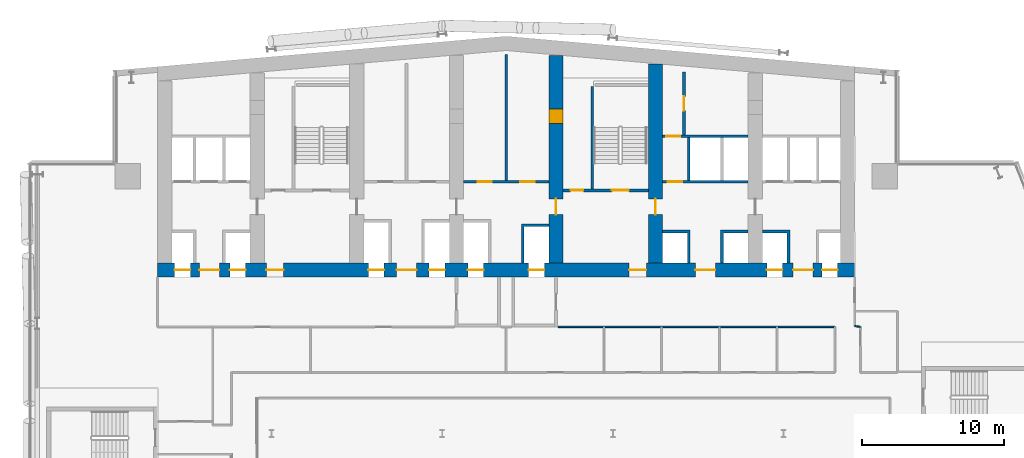
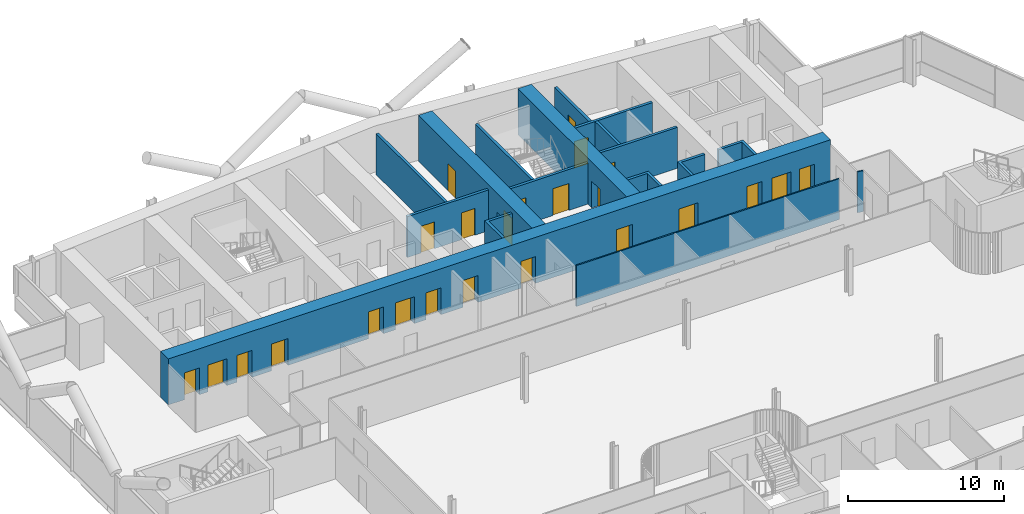
# One storey, part 21 of 31: 24 doors, 17 walls, 24 openings.
"""IFC4 building model written with IfcOpenShell, lengths in metres."""

from ifc_helpers import new_model, si_unit, direction, frame, frame_2d, origin, place, context, subcontext, project, spatial, polyline, rectangle, outline, extrude, material, layer, layer_set, type_object, element, fill, save


model = new_model("IFC4")

# Units and contexts
model_context = context("Model", 3, precision=1e-05, world=origin(), true_north=direction((0.0, 1.0)))
body_context = subcontext(model_context, "Body", "Model", "MODEL_VIEW")
ifc_project = project(units=[si_unit("LENGTHUNIT", "METRE"), si_unit("AREAUNIT", "SQUARE_METRE"), si_unit("VOLUMEUNIT", "CUBIC_METRE"), si_unit("PLANEANGLEUNIT", "RADIAN"), si_unit("MASSUNIT", "GRAM", prefix="KILO")], contexts=[model_context])

# Site, building, storey
site_placement = place(None, origin())
site = spatial("IfcSite", under=ifc_project, at=site_placement, CompositionType="ELEMENT")
building_placement = place(site_placement, origin())
building = spatial("IfcBuilding", under=site, at=building_placement, Name="Wharfspan Tower", CompositionType="ELEMENT")
storey_placement = place(building_placement, frame((0.0, 0.0, 103.899902)))
storey = spatial("IfcBuildingStorey", under=building, at=storey_placement, Name="L23", CompositionType="ELEMENT", Elevation=103.899902)

# Walls
ifc_material_1 = material(Name="Gypsum board on steel studs", Category="steel")
ifc_layer_1 = layer(ifc_material_1, 0.100098)
ifc_layer_set_1 = layer_set([ifc_layer_1], Name="Gypsum board on steel studs")
wall_type_1 = type_object("IfcWallType", Name="Compartment wall 100 EI 60", PredefinedType="PARTITIONING", material=ifc_layer_set_1)
wall_1_placement = place(storey_placement, frame((65.39502, 30.5, 0.0), z_axis=(0.0, 0.0, 1.0), x_axis=(-0.988637, 0.150312, 0.0)))
element("IfcWall", 1, at=wall_1_placement, inside=storey, type_object=wall_type_1, Name="Partition L23.w078", PredefinedType="PARTITIONING", context=body_context, shape_type="SweptSolid", body=[
    extrude(rectangle(XDim=0.399658, YDim=0.100098, at=frame_2d((0.199707, 0.0))), origin(), (0.0, 0.0, 1.0), 3.200195),
])
wall_2_placement = place(storey_placement, frame((44.149902, 30.5, 0.0), z_axis=(0.0, 0.0, 1.0), x_axis=(1.0, 0.0, 0.0)))
element("IfcWall", 2, at=wall_2_placement, inside=storey, type_object=wall_type_1, Name="Partition L23.w005 (3)", PredefinedType="PARTITIONING", context=body_context, shape_type="SweptSolid", body=[
    extrude(rectangle(XDim=19.450195, YDim=0.100098, at=frame_2d((9.725098, 0.0))), origin(), (0.0, 0.0, 1.0), 3.200195),
])
ifc_material_2 = material(Name="Calcium silicate masonry", Category="masonry")
ifc_layer_2 = layer(ifc_material_2, 0.199951)
ifc_layer_set_2 = layer_set([ifc_layer_2], Name="Calcium silicate masonry")
wall_type_2 = type_object("IfcWallType", Name="Core room wall 200", PredefinedType="PARTITIONING", material=ifc_layer_set_2)
wall_3_placement = place(storey_placement, frame((40.5, 40.800049, 0.0), z_axis=(0.0, 0.0, 1.0), x_axis=(0.0, 1.0, 0.0)))
element("IfcWall", 3, at=wall_3_placement, inside=storey, type_object=wall_type_2, Name="sw:L23:RP4.1", PredefinedType="PARTITIONING", context=body_context, shape_type="SweptSolid", body=[
    extrude(rectangle(XDim=8.844482, YDim=0.199951, at=frame_2d((4.422363, 0.0))), origin(), (0.0, 0.0, 1.0), 3.200195),
])

# Wall, opening, door
wall_4_placement = place(storey_placement, frame((53.0, 44.0, 0.0), z_axis=(0.0, 0.0, 1.0), x_axis=(0.0, 1.0, 0.0)))
wall_4 = element("IfcWall", 4, at=wall_4_placement, inside=storey, type_object=wall_type_2, Name="sw:L23:RP6.1", PredefinedType="PARTITIONING", context=body_context, shape_type="SweptSolid", body=[
    extrude(rectangle(XDim=4.419678, YDim=0.199951, at=frame_2d((2.209961, 0.0))), origin(), (0.0, 0.0, 1.0), 3.200195),
])
opening_1_placement = place(wall_4_placement, frame((1.709961, 0.0, 0.0)))
opening_1 = element("IfcOpeningElement", 5, at=opening_1_placement, cuts=wall_4, Name="Opening CD23.6P1", PredefinedType="OPENING", context=body_context, shape_type="SweptSolid", body=[
    extrude(rectangle(XDim=1.0, YDim=2.100098, at=frame_2d((0.5, 1.050049))), frame((0.0, 0.109863, 0.0), z_axis=(0.0, -1.0, 0.0), x_axis=(1.0, 0.0, 0.0)), (0.0, 0.0, 1.0), 0.219971),
])
ifc_material_3 = material(Name="Steel door leaf", Category="steel")
door_type_1 = type_object("IfcDoorType", Name="Core room door 1000x2100", OperationType="SINGLE_SWING_LEFT", PredefinedType="DOOR", material=ifc_material_3)
door_1_placement = place(opening_1_placement, origin())
door_1 = element("IfcDoor", 6, at=door_1_placement, inside=storey, type_object=door_type_1, Name="d:L23:6:rp1", OperationType="SINGLE_SWING_LEFT", OverallHeight=2.100098, OverallWidth=1.0, PredefinedType="DOOR", context=body_context, shape_type="SweptSolid", body=[
    extrude(rectangle(XDim=1.0, YDim=2.100098, at=frame_2d((0.5, 1.050049))), frame((0.0, 0.024902, 0.0), z_axis=(0.0, -1.0, 0.0), x_axis=(1.0, 0.0, 0.0)), (0.0, 0.0, 1.0), 0.050049),
])
fill(opening_1, door_1)

# Wall, openings, doors
ifc_material_4 = material(Name="Concrete C70/85", Category="concrete")
ifc_layer_3 = layer(ifc_material_4, 1.0)
ifc_layer_set_3 = layer_set([ifc_layer_3], Name="Concrete C70/85")
wall_type_3 = type_object("IfcWallType", Name="Core wall 1000 C70/85", PredefinedType="SHEAR", material=ifc_layer_set_3)
wall_5_placement = place(storey_placement, frame((16.0, 34.5, 0.0), z_axis=(0.0, 0.0, 1.0), x_axis=(1.0, 0.0, 0.0)))
wall_5 = element("IfcWall", 7, at=wall_5_placement, inside=storey, type_object=wall_type_3, Name="Core front wall L23", PredefinedType="SHEAR", context=body_context, shape_type="SweptSolid", body=[
    extrude(rectangle(XDim=49.0, YDim=1.0, at=frame_2d((24.5, 0.0))), origin(), (0.0, 0.0, 1.0), 3.600098),
])
opening_2_placement = place(wall_5_placement, frame((1.199951, 0.0, 0.0)))
opening_2 = element("IfcOpeningElement", 8, at=opening_2_placement, cuts=wall_5, Name="Opening LD.LA1.L23", PredefinedType="OPENING", context=body_context, shape_type="SweptSolid", body=[
    extrude(rectangle(XDim=1.100098, YDim=2.100098, at=frame_2d((0.550049, 1.050049))), frame((0.0, 0.51001, 0.0), z_axis=(0.0, -1.0, 0.0), x_axis=(1.0, 0.0, 0.0)), (0.0, 0.0, 1.0), 1.02002),
])
opening_3_placement = place(wall_5_placement, frame((5.083252, 0.0, 0.0)))
opening_3 = element("IfcOpeningElement", 9, at=opening_3_placement, cuts=wall_5, Name="Opening LD.LA2.L23", PredefinedType="OPENING", context=body_context, shape_type="SweptSolid", body=[
    extrude(rectangle(XDim=1.100098, YDim=2.100098, at=frame_2d((0.550049, 1.050049))), frame((0.0, 0.51001, 0.0), z_axis=(0.0, -1.0, 0.0), x_axis=(1.0, 0.0, 0.0)), (0.0, 0.0, 1.0), 1.02002),
])
opening_4_placement = place(wall_5_placement, frame((2.93335, 0.0, 0.0)))
opening_4 = element("IfcOpeningElement", 10, at=opening_4_placement, cuts=wall_5, Name="Opening HD23.1", PredefinedType="OPENING", context=body_context, shape_type="SweptSolid", body=[
    extrude(rectangle(XDim=1.399902, YDim=2.100098, at=frame_2d((0.699951, 1.050049))), frame((0.0, 0.51001, 0.0), z_axis=(0.0, -1.0, 0.0), x_axis=(1.0, 0.0, 0.0)), (0.0, 0.0, 1.0), 1.02002),
])
opening_5_placement = place(wall_5_placement, frame((7.649902, 0.0, 0.0)))
opening_5 = element("IfcOpeningElement", 11, at=opening_5_placement, cuts=wall_5, Name="Opening SV2.L23", PredefinedType="OPENING", context=body_context, shape_type="SweptSolid", body=[
    extrude(rectangle(XDim=1.199951, YDim=2.100098, at=frame_2d((0.600098, 1.050049))), frame((0.0, 0.51001, 0.0), z_axis=(0.0, -1.0, 0.0), x_axis=(1.0, 0.0, 0.0)), (0.0, 0.0, 1.0), 1.02002),
])
opening_6_placement = place(wall_5_placement, frame((14.81665, 0.0, 0.0)))
opening_6 = element("IfcOpeningElement", 12, at=opening_6_placement, cuts=wall_5, Name="Opening LD.SL1.L23", PredefinedType="OPENING", context=body_context, shape_type="SweptSolid", body=[
    extrude(rectangle(XDim=1.100098, YDim=2.100098, at=frame_2d((0.550049, 1.050049))), frame((0.0, 0.51001, 0.0), z_axis=(0.0, -1.0, 0.0), x_axis=(1.0, 0.0, 0.0)), (0.0, 0.0, 1.0), 1.02002),
])
opening_7_placement = place(wall_5_placement, frame((19.083252, 0.0, 0.0)))
opening_7 = element("IfcOpeningElement", 13, at=opening_7_placement, cuts=wall_5, Name="Opening LD.SL2.L23", PredefinedType="OPENING", context=body_context, shape_type="SweptSolid", body=[
    extrude(rectangle(XDim=1.100098, YDim=2.100098, at=frame_2d((0.550049, 1.050049))), frame((0.0, 0.51001, 0.0), z_axis=(0.0, -1.0, 0.0), x_axis=(1.0, 0.0, 0.0)), (0.0, 0.0, 1.0), 1.02002),
])
opening_8_placement = place(wall_5_placement, frame((16.800049, 0.0, 0.0)))
opening_8 = element("IfcOpeningElement", 14, at=opening_8_placement, cuts=wall_5, Name="Opening HD23.3", PredefinedType="OPENING", context=body_context, shape_type="SweptSolid", body=[
    extrude(rectangle(XDim=1.399902, YDim=2.100098, at=frame_2d((0.699951, 1.050049))), frame((0.0, 0.51001, 0.0), z_axis=(0.0, -1.0, 0.0), x_axis=(1.0, 0.0, 0.0)), (0.0, 0.0, 1.0), 1.02002),
])
opening_9_placement = place(wall_5_placement, frame((21.81665, 0.0, 0.0)))
opening_9 = element("IfcOpeningElement", 15, at=opening_9_placement, cuts=wall_5, Name="Opening LD.FF1.L23", PredefinedType="OPENING", context=body_context, shape_type="SweptSolid", body=[
    extrude(rectangle(XDim=1.100098, YDim=2.100098, at=frame_2d((0.550049, 1.050049))), frame((0.0, 0.51001, 0.0), z_axis=(0.0, -1.0, 0.0), x_axis=(1.0, 0.0, 0.0)), (0.0, 0.0, 1.0), 1.02002),
])
opening_10_placement = place(wall_5_placement, frame((26.083252, 0.0, 0.0)))
opening_10 = element("IfcOpeningElement", 16, at=opening_10_placement, cuts=wall_5, Name="Opening LD.FF2.L23", PredefinedType="OPENING", context=body_context, shape_type="SweptSolid", body=[
    extrude(rectangle(XDim=1.100098, YDim=2.100098, at=frame_2d((0.550049, 1.050049))), frame((0.0, 0.51001, 0.0), z_axis=(0.0, -1.0, 0.0), x_axis=(1.0, 0.0, 0.0)), (0.0, 0.0, 1.0), 1.02002),
])
opening_11_placement = place(wall_5_placement, frame((33.149902, 0.0, 0.0)))
opening_11 = element("IfcOpeningElement", 17, at=opening_11_placement, cuts=wall_5, Name="Opening SV5.L23", PredefinedType="OPENING", context=body_context, shape_type="SweptSolid", body=[
    extrude(rectangle(XDim=1.199951, YDim=2.100098, at=frame_2d((0.600098, 1.050049))), frame((0.0, 0.51001, 0.0), z_axis=(0.0, -1.0, 0.0), x_axis=(1.0, 0.0, 0.0)), (0.0, 0.0, 1.0), 1.02002),
])
opening_12_placement = place(wall_5_placement, frame((37.800049, 0.0, 0.0)))
opening_12 = element("IfcOpeningElement", 18, at=opening_12_placement, cuts=wall_5, Name="Opening HD23.6", PredefinedType="OPENING", context=body_context, shape_type="SweptSolid", body=[
    extrude(rectangle(XDim=1.399902, YDim=2.100098, at=frame_2d((0.699951, 1.050049))), frame((0.0, 0.51001, 0.0), z_axis=(0.0, -1.0, 0.0), x_axis=(1.0, 0.0, 0.0)), (0.0, 0.0, 1.0), 1.02002),
])
opening_13_placement = place(wall_5_placement, frame((42.81665, 0.0, 0.0)))
opening_13 = element("IfcOpeningElement", 19, at=opening_13_placement, cuts=wall_5, Name="Opening LD.LA6.L23", PredefinedType="OPENING", context=body_context, shape_type="SweptSolid", body=[
    extrude(rectangle(XDim=1.100098, YDim=2.100098, at=frame_2d((0.550049, 1.050049))), frame((0.0, 0.51001, 0.0), z_axis=(0.0, -1.0, 0.0), x_axis=(1.0, 0.0, 0.0)), (0.0, 0.0, 1.0), 1.02002),
])
opening_14_placement = place(wall_5_placement, frame((46.699951, 0.0, 0.0)))
opening_14 = element("IfcOpeningElement", 20, at=opening_14_placement, cuts=wall_5, Name="Opening LD.LA7.L23", PredefinedType="OPENING", context=body_context, shape_type="SweptSolid", body=[
    extrude(rectangle(XDim=1.100098, YDim=2.100098, at=frame_2d((0.550049, 1.050049))), frame((0.0, 0.51001, 0.0), z_axis=(0.0, -1.0, 0.0), x_axis=(1.0, 0.0, 0.0)), (0.0, 0.0, 1.0), 1.02002),
])
opening_15_placement = place(wall_5_placement, frame((44.666748, 0.0, 0.0)))
opening_15 = element("IfcOpeningElement", 21, at=opening_15_placement, cuts=wall_5, Name="Opening HD23.7", PredefinedType="OPENING", context=body_context, shape_type="SweptSolid", body=[
    extrude(rectangle(XDim=1.399902, YDim=2.100098, at=frame_2d((0.699951, 1.050049))), frame((0.0, 0.51001, 0.0), z_axis=(0.0, -1.0, 0.0), x_axis=(1.0, 0.0, 0.0)), (0.0, 0.0, 1.0), 1.02002),
])
door_type_2 = type_object("IfcDoorType", Name="Hall entry door 1400x2100", OperationType="DOUBLE_DOOR_SINGLE_SWING", PredefinedType="DOOR", material=ifc_material_3)
door_2_placement = place(opening_4_placement, origin())
door_2 = element("IfcDoor", 22, at=door_2_placement, inside=storey, type_object=door_type_2, Name="d:L23:1:hd1", OperationType="DOUBLE_DOOR_SINGLE_SWING", OverallHeight=2.100098, OverallWidth=1.399902, PredefinedType="DOOR", context=body_context, shape_type="SweptSolid", body=[
    extrude(rectangle(XDim=1.399902, YDim=2.100098, at=frame_2d((0.699951, 1.050049))), frame((0.0, 0.024902, 0.0), z_axis=(0.0, -1.0, 0.0), x_axis=(1.0, 0.0, 0.0)), (0.0, 0.0, 1.0), 0.050049),
])
fill(opening_4, door_2)
door_3_placement = place(opening_8_placement, origin())
door_3 = element("IfcDoor", 23, at=door_3_placement, inside=storey, type_object=door_type_2, Name="d:L23:3:hd3", OperationType="DOUBLE_DOOR_SINGLE_SWING", OverallHeight=2.100098, OverallWidth=1.399902, PredefinedType="DOOR", context=body_context, shape_type="SweptSolid", body=[
    extrude(rectangle(XDim=1.399902, YDim=2.100098, at=frame_2d((0.699951, 1.050049))), frame((0.0, 0.024902, 0.0), z_axis=(0.0, -1.0, 0.0), x_axis=(1.0, 0.0, 0.0)), (0.0, 0.0, 1.0), 0.050049),
])
fill(opening_8, door_3)
door_4_placement = place(opening_12_placement, origin())
door_4 = element("IfcDoor", 24, at=door_4_placement, inside=storey, type_object=door_type_2, Name="d:L23:6:hd6", OperationType="DOUBLE_DOOR_SINGLE_SWING", OverallHeight=2.100098, OverallWidth=1.399902, PredefinedType="DOOR", context=body_context, shape_type="SweptSolid", body=[
    extrude(rectangle(XDim=1.399902, YDim=2.100098, at=frame_2d((0.699951, 1.050049))), frame((0.0, 0.024902, 0.0), z_axis=(0.0, -1.0, 0.0), x_axis=(1.0, 0.0, 0.0)), (0.0, 0.0, 1.0), 0.050049),
])
fill(opening_12, door_4)
door_5_placement = place(opening_15_placement, origin())
door_5 = element("IfcDoor", 25, at=door_5_placement, inside=storey, type_object=door_type_2, Name="d:L23:7:hd7", OperationType="DOUBLE_DOOR_SINGLE_SWING", OverallHeight=2.100098, OverallWidth=1.399902, PredefinedType="DOOR", context=body_context, shape_type="SweptSolid", body=[
    extrude(rectangle(XDim=1.399902, YDim=2.100098, at=frame_2d((0.699951, 1.050049))), frame((0.0, 0.024902, 0.0), z_axis=(0.0, -1.0, 0.0), x_axis=(1.0, 0.0, 0.0)), (0.0, 0.0, 1.0), 0.050049),
])
fill(opening_15, door_5)
ifc_material_5 = material(Name="Stainless steel", Category="steel")
door_type_3 = type_object("IfcDoorType", Name="Lift landing door 1100x2100", OperationType="DOUBLE_DOOR_SLIDING", PredefinedType="DOOR", material=ifc_material_5)
door_6_placement = place(opening_2_placement, origin())
door_6 = element("IfcDoor", 26, at=door_6_placement, inside=storey, type_object=door_type_3, Name="Landing door LA1 L23", OperationType="DOUBLE_DOOR_SLIDING", OverallHeight=2.100098, OverallWidth=1.100098, PredefinedType="DOOR", context=body_context, shape_type="SweptSolid", body=[
    extrude(rectangle(XDim=1.100098, YDim=2.100098, at=frame_2d((0.550049, 1.050049))), frame((0.0, 0.024902, 0.0), z_axis=(0.0, -1.0, 0.0), x_axis=(1.0, 0.0, 0.0)), (0.0, 0.0, 1.0), 0.050049),
])
fill(opening_2, door_6)
door_7_placement = place(opening_3_placement, origin())
door_7 = element("IfcDoor", 27, at=door_7_placement, inside=storey, type_object=door_type_3, Name="Landing door LA2 L23", OperationType="DOUBLE_DOOR_SLIDING", OverallHeight=2.100098, OverallWidth=1.100098, PredefinedType="DOOR", context=body_context, shape_type="SweptSolid", body=[
    extrude(rectangle(XDim=1.100098, YDim=2.100098, at=frame_2d((0.550049, 1.050049))), frame((0.0, 0.024902, 0.0), z_axis=(0.0, -1.0, 0.0), x_axis=(1.0, 0.0, 0.0)), (0.0, 0.0, 1.0), 0.050049),
])
fill(opening_3, door_7)
door_8_placement = place(opening_6_placement, origin())
door_8 = element("IfcDoor", 28, at=door_8_placement, inside=storey, type_object=door_type_3, Name="Landing door SL1 L23", OperationType="DOUBLE_DOOR_SLIDING", OverallHeight=2.100098, OverallWidth=1.100098, PredefinedType="DOOR", context=body_context, shape_type="SweptSolid", body=[
    extrude(rectangle(XDim=1.100098, YDim=2.100098, at=frame_2d((0.550049, 1.050049))), frame((0.0, 0.024902, 0.0), z_axis=(0.0, -1.0, 0.0), x_axis=(1.0, 0.0, 0.0)), (0.0, 0.0, 1.0), 0.050049),
])
fill(opening_6, door_8)
door_9_placement = place(opening_7_placement, origin())
door_9 = element("IfcDoor", 29, at=door_9_placement, inside=storey, type_object=door_type_3, Name="Landing door SL2 L23", OperationType="DOUBLE_DOOR_SLIDING", OverallHeight=2.100098, OverallWidth=1.100098, PredefinedType="DOOR", context=body_context, shape_type="SweptSolid", body=[
    extrude(rectangle(XDim=1.100098, YDim=2.100098, at=frame_2d((0.550049, 1.050049))), frame((0.0, 0.024902, 0.0), z_axis=(0.0, -1.0, 0.0), x_axis=(1.0, 0.0, 0.0)), (0.0, 0.0, 1.0), 0.050049),
])
fill(opening_7, door_9)
door_10_placement = place(opening_9_placement, origin())
door_10 = element("IfcDoor", 30, at=door_10_placement, inside=storey, type_object=door_type_3, Name="Landing door FF1 L23", OperationType="DOUBLE_DOOR_SLIDING", OverallHeight=2.100098, OverallWidth=1.100098, PredefinedType="DOOR", context=body_context, shape_type="SweptSolid", body=[
    extrude(rectangle(XDim=1.100098, YDim=2.100098, at=frame_2d((0.550049, 1.050049))), frame((0.0, 0.024902, 0.0), z_axis=(0.0, -1.0, 0.0), x_axis=(1.0, 0.0, 0.0)), (0.0, 0.0, 1.0), 0.050049),
])
fill(opening_9, door_10)
door_11_placement = place(opening_10_placement, origin())
door_11 = element("IfcDoor", 31, at=door_11_placement, inside=storey, type_object=door_type_3, Name="Landing door FF2 L23", OperationType="DOUBLE_DOOR_SLIDING", OverallHeight=2.100098, OverallWidth=1.100098, PredefinedType="DOOR", context=body_context, shape_type="SweptSolid", body=[
    extrude(rectangle(XDim=1.100098, YDim=2.100098, at=frame_2d((0.550049, 1.050049))), frame((0.0, 0.024902, 0.0), z_axis=(0.0, -1.0, 0.0), x_axis=(1.0, 0.0, 0.0)), (0.0, 0.0, 1.0), 0.050049),
])
fill(opening_10, door_11)
door_12_placement = place(opening_13_placement, origin())
door_12 = element("IfcDoor", 32, at=door_12_placement, inside=storey, type_object=door_type_3, Name="Landing door LA6 L23", OperationType="DOUBLE_DOOR_SLIDING", OverallHeight=2.100098, OverallWidth=1.100098, PredefinedType="DOOR", context=body_context, shape_type="SweptSolid", body=[
    extrude(rectangle(XDim=1.100098, YDim=2.100098, at=frame_2d((0.550049, 1.050049))), frame((0.0, 0.024902, 0.0), z_axis=(0.0, -1.0, 0.0), x_axis=(1.0, 0.0, 0.0)), (0.0, 0.0, 1.0), 0.050049),
])
fill(opening_13, door_12)
door_13_placement = place(opening_14_placement, origin())
door_13 = element("IfcDoor", 33, at=door_13_placement, inside=storey, type_object=door_type_3, Name="Landing door LA7 L23", OperationType="DOUBLE_DOOR_SLIDING", OverallHeight=2.100098, OverallWidth=1.100098, PredefinedType="DOOR", context=body_context, shape_type="SweptSolid", body=[
    extrude(rectangle(XDim=1.100098, YDim=2.100098, at=frame_2d((0.550049, 1.050049))), frame((0.0, 0.024902, 0.0), z_axis=(0.0, -1.0, 0.0), x_axis=(1.0, 0.0, 0.0)), (0.0, 0.0, 1.0), 0.050049),
])
fill(opening_14, door_13)
door_type_4 = type_object("IfcDoorType", Name="Stair door 1200x2100", OperationType="SINGLE_SWING_LEFT", PredefinedType="DOOR", material=ifc_material_3)
door_14_placement = place(opening_5_placement, origin())
door_14 = element("IfcDoor", 34, at=door_14_placement, inside=storey, type_object=door_type_4, Name="vd:L23:2", OperationType="SINGLE_SWING_LEFT", OverallHeight=2.100098, OverallWidth=1.199951, PredefinedType="DOOR", context=body_context, shape_type="SweptSolid", body=[
    extrude(rectangle(XDim=1.199951, YDim=2.100098, at=frame_2d((0.600098, 1.050049))), frame((0.0, 0.024902, 0.0), z_axis=(0.0, -1.0, 0.0), x_axis=(1.0, 0.0, 0.0)), (0.0, 0.0, 1.0), 0.050049),
])
fill(opening_5, door_14)
door_15_placement = place(opening_11_placement, origin())
door_15 = element("IfcDoor", 35, at=door_15_placement, inside=storey, type_object=door_type_4, Name="vd:L23:5", OperationType="SINGLE_SWING_LEFT", OverallHeight=2.100098, OverallWidth=1.199951, PredefinedType="DOOR", context=body_context, shape_type="SweptSolid", body=[
    extrude(rectangle(XDim=1.199951, YDim=2.100098, at=frame_2d((0.600098, 1.050049))), frame((0.0, 0.024902, 0.0), z_axis=(0.0, -1.0, 0.0), x_axis=(1.0, 0.0, 0.0)), (0.0, 0.0, 1.0), 0.050049),
])
fill(opening_11, door_15)

wall_6_placement = place(storey_placement, frame((44.0, 35.0, 0.0), z_axis=(0.0, 0.0, 1.0), x_axis=(0.0, 1.0, 0.0)))
wall_6 = element("IfcWall", 36, at=wall_6_placement, inside=storey, type_object=wall_type_3, Name="Core cross wall X5 L23", PredefinedType="SHEAR", context=body_context, shape_type="SweptSolid", body=[
    extrude(rectangle(XDim=14.577148, YDim=1.0, at=frame_2d((7.288574, 0.0))), origin(), (0.0, 0.0, 1.0), 3.600098),
])
opening_16_placement = place(wall_6_placement, frame((3.399902, 0.0, 0.0)))
opening_16 = element("IfcOpeningElement", 37, at=opening_16_placement, cuts=wall_6, Name="Opening CC23.5", PredefinedType="OPENING", context=body_context, shape_type="SweptSolid", body=[
    extrude(rectangle(XDim=1.100098, YDim=2.100098, at=frame_2d((0.550049, 1.050049))), frame((0.0, 0.51001, 0.0), z_axis=(0.0, -1.0, 0.0), x_axis=(1.0, 0.0, 0.0)), (0.0, 0.0, 1.0), 1.02002),
])
opening_17_placement = place(wall_6_placement, frame((9.800049, 0.0, 0.0)))
opening_17 = element("IfcOpeningElement", 38, at=opening_17_placement, cuts=wall_6, Name="Opening CR23.5", PredefinedType="OPENING", context=body_context, shape_type="SweptSolid", body=[
    extrude(rectangle(XDim=1.0, YDim=2.100098, at=frame_2d((0.5, 1.050049))), frame((0.0, 0.51001, 0.0), z_axis=(0.0, -1.0, 0.0), x_axis=(1.0, 0.0, 0.0)), (0.0, 0.0, 1.0), 1.02002),
])
door_type_5 = type_object("IfcDoorType", Name="Core corridor door 1100x2100", OperationType="SINGLE_SWING_LEFT", PredefinedType="DOOR", material=ifc_material_3)
door_16_placement = place(opening_16_placement, origin())
door_16 = element("IfcDoor", 39, at=door_16_placement, inside=storey, type_object=door_type_5, Name="xd:L23:5", OperationType="SINGLE_SWING_LEFT", OverallHeight=2.100098, OverallWidth=1.100098, PredefinedType="DOOR", context=body_context, shape_type="SweptSolid", body=[
    extrude(rectangle(XDim=1.100098, YDim=2.100098, at=frame_2d((0.550049, 1.050049))), frame((0.0, 0.024902, 0.0), z_axis=(0.0, -1.0, 0.0), x_axis=(1.0, 0.0, 0.0)), (0.0, 0.0, 1.0), 0.050049),
])
fill(opening_16, door_16)
door_17_placement = place(opening_17_placement, origin())
door_17 = element("IfcDoor", 40, at=door_17_placement, inside=storey, type_object=door_type_1, Name="xr:L23:5", OperationType="SINGLE_SWING_RIGHT", OverallHeight=2.100098, OverallWidth=1.0, PredefinedType="DOOR", context=body_context, shape_type="SweptSolid", body=[
    extrude(rectangle(XDim=1.0, YDim=2.100098, at=frame_2d((0.5, 1.050049))), frame((0.0, 0.499756, 0.0), z_axis=(0.0, -1.0, 0.0), x_axis=(1.0, 0.0, 0.0)), (0.0, 0.0, 1.0), 0.999512),
])
fill(opening_17, door_17)

# Wall, opening, door
wall_7_placement = place(storey_placement, frame((51.0, 35.0, 0.0), z_axis=(0.0, 0.0, 1.0), x_axis=(0.0, 1.0, 0.0)))
wall_7 = element("IfcWall", 41, at=wall_7_placement, inside=storey, type_object=wall_type_3, Name="Core cross wall X6 L23", PredefinedType="SHEAR", context=body_context, shape_type="SweptSolid", body=[
    extrude(rectangle(XDim=13.9646, YDim=1.0, at=frame_2d((6.982422, 0.0))), origin(), (0.0, 0.0, 1.0), 3.600098),
])
opening_18_placement = place(wall_7_placement, frame((3.399902, 0.0, 0.0)))
opening_18 = element("IfcOpeningElement", 42, at=opening_18_placement, cuts=wall_7, Name="Opening CC23.6", PredefinedType="OPENING", context=body_context, shape_type="SweptSolid", body=[
    extrude(rectangle(XDim=1.100098, YDim=2.100098, at=frame_2d((0.550049, 1.050049))), frame((0.0, 0.51001, 0.0), z_axis=(0.0, -1.0, 0.0), x_axis=(1.0, 0.0, 0.0)), (0.0, 0.0, 1.0), 1.02002),
])
door_18_placement = place(opening_18_placement, origin())
door_18 = element("IfcDoor", 43, at=door_18_placement, inside=storey, type_object=door_type_5, Name="xd:L23:6", OperationType="SINGLE_SWING_RIGHT", OverallHeight=2.100098, OverallWidth=1.100098, PredefinedType="DOOR", context=body_context, shape_type="SweptSolid", body=[
    extrude(rectangle(XDim=1.100098, YDim=2.100098, at=frame_2d((0.550049, 1.050049))), frame((0.0, 0.024902, 0.0), z_axis=(0.0, -1.0, 0.0), x_axis=(1.0, 0.0, 0.0)), (0.0, 0.0, 1.0), 0.050049),
])
fill(opening_18, door_18)

# Wall, openings, doors
ifc_material_6 = material(Name="Concrete C30/37", Category="concrete")
ifc_layer_4 = layer(ifc_material_6, 0.199951)
ifc_layer_set_4 = layer_set([ifc_layer_4], Name="Concrete C30/37")
wall_type_4 = type_object("IfcWallType", Name="Lift shaft wall 200", PredefinedType="PARTITIONING", material=ifc_layer_set_4)
wall_8_placement = place(storey_placement, frame((37.5, 40.699951, 0.0), z_axis=(0.0, 0.0, 1.0), x_axis=(1.0, 0.0, 0.0)))
wall_8 = element("IfcWall", 44, at=wall_8_placement, inside=storey, type_object=wall_type_4, Name="sw:L23:RF4", PredefinedType="PARTITIONING", context=body_context, shape_type="SweptSolid", body=[
    extrude(rectangle(XDim=6.0, YDim=0.199951, at=frame_2d((3.0, 0.0))), origin(), (0.0, 0.0, 1.0), 3.200195),
])
opening_19_placement = place(wall_8_placement, frame((1.0, 0.0, 0.0)))
opening_19 = element("IfcOpeningElement", 45, at=opening_19_placement, cuts=wall_8, Name="Opening CD23.4S", PredefinedType="OPENING", context=body_context, shape_type="SweptSolid", body=[
    extrude(rectangle(XDim=1.0, YDim=2.100098, at=frame_2d((0.5, 1.050049))), frame((0.0, 0.109863, 0.0), z_axis=(0.0, -1.0, 0.0), x_axis=(1.0, 0.0, 0.0)), (0.0, 0.0, 1.0), 0.219971),
])
opening_20_placement = place(wall_8_placement, frame((4.0, 0.0, 0.0)))
opening_20 = element("IfcOpeningElement", 46, at=opening_20_placement, cuts=wall_8, Name="Opening CD23.4Sa", PredefinedType="OPENING", context=body_context, shape_type="SweptSolid", body=[
    extrude(rectangle(XDim=1.0, YDim=2.100098, at=frame_2d((0.5, 1.050049))), frame((0.0, 0.109863, 0.0), z_axis=(0.0, -1.0, 0.0), x_axis=(1.0, 0.0, 0.0)), (0.0, 0.0, 1.0), 0.219971),
])
door_19_placement = place(opening_19_placement, origin())
door_19 = element("IfcDoor", 47, at=door_19_placement, inside=storey, type_object=door_type_1, Name="d:L23:4:sf", OperationType="SINGLE_SWING_LEFT", OverallHeight=2.100098, OverallWidth=1.0, PredefinedType="DOOR", context=body_context, shape_type="SweptSolid", body=[
    extrude(rectangle(XDim=1.0, YDim=2.100098, at=frame_2d((0.5, 1.050049))), frame((0.0, 0.024902, 0.0), z_axis=(0.0, -1.0, 0.0), x_axis=(1.0, 0.0, 0.0)), (0.0, 0.0, 1.0), 0.050049),
])
fill(opening_19, door_19)
door_20_placement = place(opening_20_placement, origin())
door_20 = element("IfcDoor", 48, at=door_20_placement, inside=storey, type_object=door_type_1, Name="d:L23:4:sf1", OperationType="SINGLE_SWING_LEFT", OverallHeight=2.100098, OverallWidth=1.0, PredefinedType="DOOR", context=body_context, shape_type="SweptSolid", body=[
    extrude(rectangle(XDim=1.0, YDim=2.100098, at=frame_2d((0.5, 1.050049))), frame((0.0, 0.024902, 0.0), z_axis=(0.0, -1.0, 0.0), x_axis=(1.0, 0.0, 0.0)), (0.0, 0.0, 1.0), 0.050049),
])
fill(opening_20, door_20)

# Wall
wall_9_placement = place(storey_placement, origin())
element("IfcWall", 49, at=wall_9_placement, inside=storey, type_object=wall_type_4, Name="sw:L23:FM4.0", PredefinedType="PARTITIONING", context=body_context, shape_type="SweptSolid", body=[
    extrude(outline(polyline([(41.56665, 37.75), (41.766602, 37.75), (43.5, 37.75), (43.5, 37.550049), (41.766602, 37.550049), (41.766602, 35.0), (41.56665, 35.0), (41.56665, 37.75)])), origin(), (0.0, 0.0, 1.0), 3.200195),
])

# Wall, opening, door
wall_10_placement = place(storey_placement, frame((51.5, 40.699951, 0.0), z_axis=(0.0, 0.0, 1.0), x_axis=(1.0, 0.0, 0.0)))
wall_10 = element("IfcWall", 50, at=wall_10_placement, inside=storey, type_object=wall_type_4, Name="sw:L23:RF6", PredefinedType="PARTITIONING", context=body_context, shape_type="SweptSolid", body=[
    extrude(rectangle(XDim=6.0, YDim=0.199951, at=frame_2d((3.0, 0.0))), origin(), (0.0, 0.0, 1.0), 3.200195),
])
opening_21_placement = place(wall_10_placement, frame((0.366699, 0.0, 0.0)))
opening_21 = element("IfcOpeningElement", 51, at=opening_21_placement, cuts=wall_10, Name="Opening CD23.6R1", PredefinedType="OPENING", context=body_context, shape_type="SweptSolid", body=[
    extrude(rectangle(XDim=1.0, YDim=2.100098, at=frame_2d((0.5, 1.050049))), frame((0.0, 0.109863, 0.0), z_axis=(0.0, -1.0, 0.0), x_axis=(1.0, 0.0, 0.0)), (0.0, 0.0, 1.0), 0.219971),
])
door_21_placement = place(opening_21_placement, origin())
door_21 = element("IfcDoor", 52, at=door_21_placement, inside=storey, type_object=door_type_1, Name="d:L23:6:rd6.1", OperationType="SINGLE_SWING_RIGHT", OverallHeight=2.100098, OverallWidth=1.0, PredefinedType="DOOR", context=body_context, shape_type="SweptSolid", body=[
    extrude(rectangle(XDim=1.0, YDim=2.100098, at=frame_2d((0.5, 1.050049))), frame((0.0, 0.024902, 0.0), z_axis=(0.0, -1.0, 0.0), x_axis=(1.0, 0.0, 0.0)), (0.0, 0.0, 1.0), 0.050049),
])
fill(opening_21, door_21)

wall_11_placement = place(storey_placement, frame((51.5, 43.899902, 0.0), z_axis=(0.0, 0.0, 1.0), x_axis=(1.0, 0.0, 0.0)))
wall_11 = element("IfcWall", 53, at=wall_11_placement, inside=storey, type_object=wall_type_4, Name="sw:L23:RR6", PredefinedType="PARTITIONING", context=body_context, shape_type="SweptSolid", body=[
    extrude(rectangle(XDim=6.0, YDim=0.199951, at=frame_2d((3.0, 0.0))), origin(), (0.0, 0.0, 1.0), 3.200195),
])
opening_22_placement = place(wall_11_placement, frame((0.25, 0.0, 0.0)))
opening_22 = element("IfcOpeningElement", 54, at=opening_22_placement, cuts=wall_11, Name="Opening CD23.6S1", PredefinedType="OPENING", context=body_context, shape_type="SweptSolid", body=[
    extrude(rectangle(XDim=1.0, YDim=2.100098, at=frame_2d((0.5, 1.050049))), frame((0.0, 0.109863, 0.0), z_axis=(0.0, -1.0, 0.0), x_axis=(1.0, 0.0, 0.0)), (0.0, 0.0, 1.0), 0.219971),
])
door_22_placement = place(opening_22_placement, origin())
door_22 = element("IfcDoor", 55, at=door_22_placement, inside=storey, type_object=door_type_1, Name="d:L23:6:rs6.1", OperationType="SINGLE_SWING_LEFT", OverallHeight=2.100098, OverallWidth=1.0, PredefinedType="DOOR", context=body_context, shape_type="SweptSolid", body=[
    extrude(rectangle(XDim=1.0, YDim=2.100098, at=frame_2d((0.5, 1.050049))), frame((0.0, 0.024902, 0.0), z_axis=(0.0, -1.0, 0.0), x_axis=(1.0, 0.0, 0.0)), (0.0, 0.0, 1.0), 0.050049),
])
fill(opening_22, door_22)

# Walls
wall_12_placement = place(storey_placement, origin())
element("IfcWall", 56, at=wall_12_placement, inside=storey, type_object=wall_type_4, Name="sw:L23:FM6.0", PredefinedType="PARTITIONING", context=body_context, shape_type="SweptSolid", body=[
    extrude(outline(polyline([(53.233398, 37.100098), (51.5, 37.100098), (51.5, 37.300049), (53.233398, 37.300049), (53.43335, 37.300049), (53.43335, 35.0), (53.233398, 35.0), (53.233398, 37.100098)])), origin(), (0.0, 0.0, 1.0), 3.200195),
])
wall_13_placement = place(storey_placement, origin())
element("IfcWall", 57, at=wall_13_placement, inside=storey, type_object=wall_type_4, Name="sw:L23:FM6.1", PredefinedType="PARTITIONING", context=body_context, shape_type="SweptSolid", body=[
    extrude(outline(polyline([(55.56665, 37.300049), (55.766602, 37.300049), (57.5, 37.300049), (57.5, 37.100098), (55.766602, 37.100098), (55.766602, 35.0), (55.56665, 35.0), (55.56665, 37.300049)])), origin(), (0.0, 0.0, 1.0), 3.200195),
])
wall_14_placement = place(storey_placement, origin())
element("IfcWall", 58, at=wall_14_placement, inside=storey, type_object=wall_type_4, Name="sw:L23:RM6.0", PredefinedType="PARTITIONING", context=body_context, shape_type="SweptSolid", body=[
    extrude(outline(polyline([(53.233398, 40.800049), (53.233398, 43.800049), (53.43335, 43.800049), (53.43335, 40.800049), (53.233398, 40.800049)])), origin(), (0.0, 0.0, 1.0), 3.200195),
])
wall_15_placement = place(storey_placement, origin())
element("IfcWall", 59, at=wall_15_placement, inside=storey, type_object=wall_type_4, Name="sw:L23:FM7.0", PredefinedType="PARTITIONING", context=body_context, shape_type="SweptSolid", body=[
    extrude(outline(polyline([(60.233398, 37.100098), (58.5, 37.100098), (58.5, 37.300049), (60.233398, 37.300049), (60.43335, 37.300049), (60.43335, 35.0), (60.233398, 35.0), (60.233398, 37.100098)])), origin(), (0.0, 0.0, 1.0), 3.200195),
])

# Wall, openings, doors
ifc_material_7 = material(Name="Concrete C40/50", Category="concrete")
ifc_layer_5 = layer(ifc_material_7, 0.199951)
ifc_layer_set_5 = layer_set([ifc_layer_5], Name="Concrete C40/50")
wall_type_5 = type_object("IfcWallType", Name="Stair shaft wall 200", PredefinedType="SHEAR", material=ifc_layer_set_5)
wall_16_placement = place(storey_placement, frame((44.5, 40.100098, 0.0), z_axis=(0.0, 0.0, 1.0), x_axis=(1.0, 0.0, 0.0)))
wall_16 = element("IfcWall", 60, at=wall_16_placement, inside=storey, type_object=wall_type_5, Name="ST2 stair enclosure wall L23", PredefinedType="SHEAR", context=body_context, shape_type="SweptSolid", body=[
    extrude(rectangle(XDim=6.0, YDim=0.199951, at=frame_2d((3.0, 0.0))), origin(), (0.0, 0.0, 1.0), 3.200195),
])
opening_23_placement = place(wall_16_placement, frame((3.425049, 0.0, 0.0)))
opening_23 = element("IfcOpeningElement", 61, at=opening_23_placement, cuts=wall_16, Name="Opening SD5.L23", PredefinedType="OPENING", context=body_context, shape_type="SweptSolid", body=[
    extrude(rectangle(XDim=1.199951, YDim=2.100098, at=frame_2d((0.600098, 1.050049))), frame((0.0, 0.109863, 0.0), z_axis=(0.0, -1.0, 0.0), x_axis=(1.0, 0.0, 0.0)), (0.0, 0.0, 1.0), 0.219971),
])
opening_24_placement = place(wall_16_placement, frame((0.524902, 0.0, 0.0)))
opening_24 = element("IfcOpeningElement", 62, at=opening_24_placement, cuts=wall_16, Name="Opening CD23.5R", PredefinedType="OPENING", context=body_context, shape_type="SweptSolid", body=[
    extrude(rectangle(XDim=0.899902, YDim=2.100098, at=frame_2d((0.449951, 1.050049))), frame((0.0, 0.109863, 0.0), z_axis=(0.0, -1.0, 0.0), x_axis=(1.0, 0.0, 0.0)), (0.0, 0.0, 1.0), 0.219971),
])
door_23_placement = place(opening_24_placement, origin())
door_23 = element("IfcDoor", 63, at=door_23_placement, inside=storey, type_object=door_type_1, Name="rk:L23:5", OperationType="SINGLE_SWING_LEFT", OverallHeight=2.100098, OverallWidth=0.899902, PredefinedType="DOOR", context=body_context, shape_type="SweptSolid", body=[
    extrude(rectangle(XDim=0.899902, YDim=2.100098, at=frame_2d((0.449951, 1.050049))), frame((0.0, 0.024902, 0.0), z_axis=(0.0, -1.0, 0.0), x_axis=(1.0, 0.0, 0.0)), (0.0, 0.0, 1.0), 0.050049),
])
fill(opening_24, door_23)
door_24_placement = place(opening_23_placement, origin())
door_24 = element("IfcDoor", 64, at=door_24_placement, inside=storey, type_object=door_type_4, Name="sd:L23:5", OperationType="SINGLE_SWING_RIGHT", OverallHeight=2.100098, OverallWidth=1.199951, PredefinedType="DOOR", context=body_context, shape_type="SweptSolid", body=[
    extrude(rectangle(XDim=1.199951, YDim=2.100098, at=frame_2d((0.600098, 1.050049))), frame((0.0, 0.024902, 0.0), z_axis=(0.0, -1.0, 0.0), x_axis=(1.0, 0.0, 0.0)), (0.0, 0.0, 1.0), 0.050049),
])
fill(opening_23, door_24)

# Wall
wall_17_placement = place(storey_placement, frame((46.550049, 40.199951, 0.0), z_axis=(0.0, 0.0, 1.0), x_axis=(0.0, 1.0, 0.0)))
element("IfcWall", 65, at=wall_17_placement, inside=storey, type_object=wall_type_5, Name="ST2 stair enclosure wall L23", PredefinedType="SHEAR", context=body_context, shape_type="SweptSolid", body=[
    extrude(rectangle(XDim=7.199951, YDim=0.199951, at=frame_2d((3.600098, 0.0))), origin(), (0.0, 0.0, 1.0), 3.200195),
])

save(model, "model.ifc")
